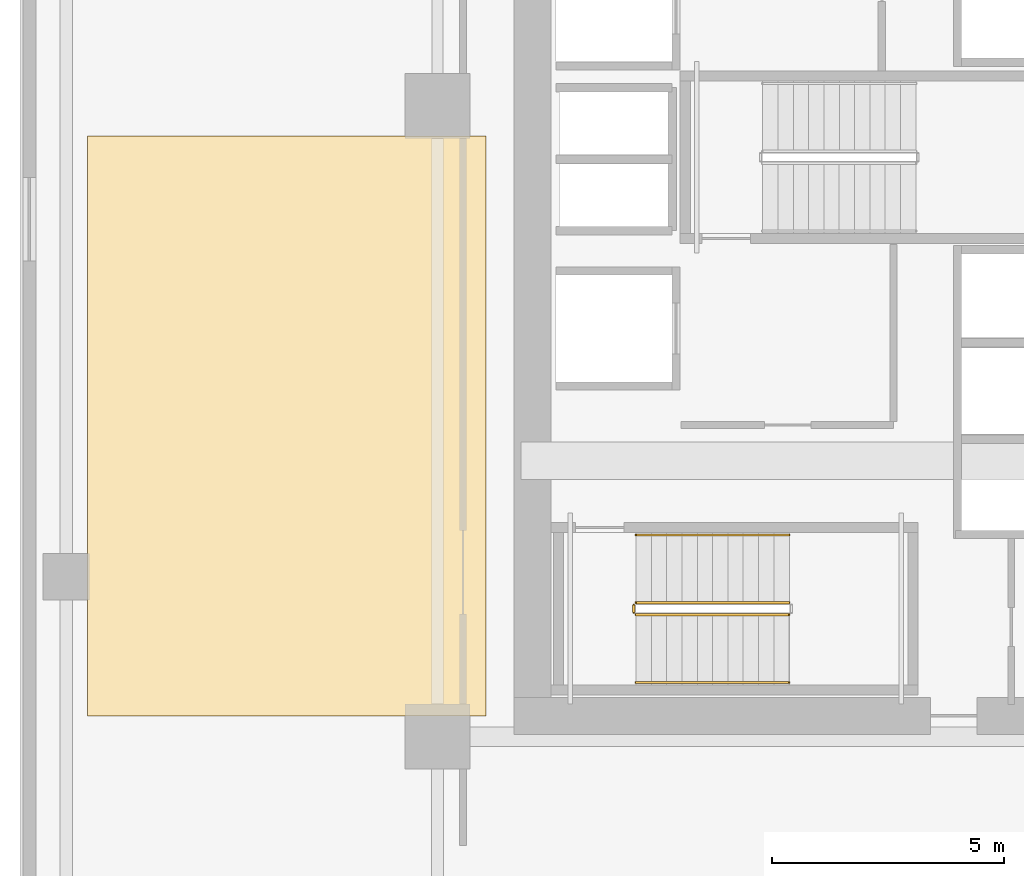
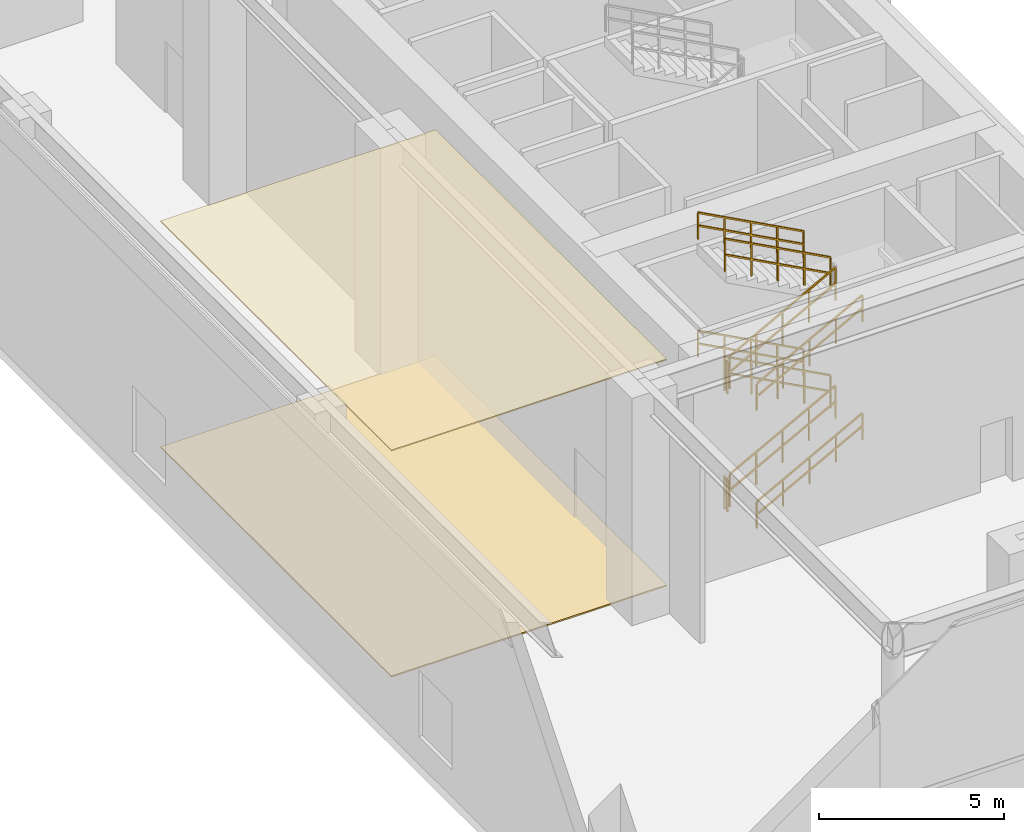
# One storey, part 24 of 29: 10 railings, 2 coverings.
"""IFC4 building model written with IfcOpenShell, lengths in metres."""

from ifc_helpers import new_model, si_unit, direction, frame, origin, origin_2d, place, context, subcontext, project, spatial, polyline, rectangle, outline, extrude, material, layer, layer_set, type_object, element, save


model = new_model("IFC4")

# Units and contexts
model_context = context("Model", 3, precision=1e-05, world=origin(), true_north=direction((0.0, 1.0)))
body_context = subcontext(model_context, "Body", "Model", "MODEL_VIEW")
ifc_project = project(units=[si_unit("LENGTHUNIT", "METRE"), si_unit("AREAUNIT", "SQUARE_METRE"), si_unit("VOLUMEUNIT", "CUBIC_METRE"), si_unit("PLANEANGLEUNIT", "RADIAN"), si_unit("MASSUNIT", "GRAM", prefix="KILO")], contexts=[model_context])

# Site, building, storey
site_placement = place(None, origin())
site = spatial("IfcSite", under=ifc_project, at=site_placement, CompositionType="ELEMENT")
building_placement = place(site_placement, origin())
building = spatial("IfcBuilding", under=site, at=building_placement, Name="Ocotamira Hotel", CompositionType="ELEMENT")
storey_placement = place(building_placement, frame((0.0, 0.0, 11.39990234375)))
storey = spatial("IfcBuildingStorey", under=building, at=storey_placement, Name="L03", CompositionType="ELEMENT", Elevation=11.39990234375)

# Coverings
ifc_material_1 = material(Name="Baffled acoustic wood-slat and gypsum ceiling", Category="wood")
ifc_layer_1 = layer(ifc_material_1, 0.0400390625)
ifc_layer_set_1 = layer_set([ifc_layer_1], Name="Baffled acoustic wood-slat and gypsum ceiling")
covering_type_1 = type_object("IfcCoveringType", Name="COV-CEIL-40", PredefinedType="CEILING", material=ifc_layer_set_1)
covering_1_placement = place(storey_placement, frame((0.0, 0.0, 7.47021484375)))
element("IfcCovering", 1, at=covering_1_placement, inside=storey, type_object=covering_type_1, Name="L03 Acoustic Ceiling", PredefinedType="CEILING", context=body_context, shape_type="SweptSolid", body=[
    extrude(outline(polyline([(1.39990234375, 15.0), (10.0, 15.0), (10.0, 27.5), (1.39990234375, 27.5), (1.39990234375, 15.0)])), origin(), (0.0, 0.0, 1.0), 0.039794921875),
])
ifc_material_2 = material(Name="Thick-bed honed Mojave limestone flooring", Category="masonry")
ifc_layer_2 = layer(ifc_material_2, 0.044921875)
ifc_layer_set_2 = layer_set([ifc_layer_2], Name="Thick-bed honed Mojave limestone flooring")
covering_type_2 = type_object("IfcCoveringType", Name="COV-FLOR-45", PredefinedType="FLOORING", material=ifc_layer_set_2)
covering_2_placement = place(storey_placement, origin())
element("IfcCovering", 2, at=covering_2_placement, inside=storey, type_object=covering_type_2, Name="L03 Honed Stone Floor Finish", PredefinedType="FLOORING", context=body_context, shape_type="SweptSolid", body=[
    extrude(outline(polyline([(1.39990234375, 15.0), (10.0, 15.0), (10.0, 27.5), (1.39990234375, 27.5), (1.39990234375, 15.0)])), origin(), (0.0, 0.0, 1.0), 0.045166015625),
])

# Railings
ifc_material_3 = material(Name="Brushed stainless steel handrail", Category="steel")
railing_type_1 = type_object("IfcRailingType", Name="RL-HAND-900", PredefinedType="HANDRAIL", material=ifc_material_3)
railing_1_placement = place(storey_placement, frame((13.22998046875, 15.719970703125, 0.354736328125)))
element("IfcRailing", 3, at=railing_1_placement, inside=storey, type_object=railing_type_1, Name="L03 ST-1 stair handrail 1", PredefinedType="HANDRAIL", context=body_context, shape_type="SweptSolid", body=[
    extrude(rectangle(XDim=0.048095703125, YDim=0.048095703125, at=origin_2d()), frame((0.0, 0.0, 0.8759765625), z_axis=(0.880943614595, 0.0, 0.473221246251), x_axis=(0.0, 1.0, 0.0)), (0.0, 0.0, 1.0), 3.74609375),
    extrude(rectangle(XDim=0.048095703125, YDim=0.048095703125, at=origin_2d()), frame((0.0, 0.0, 0.449951171875), z_axis=(0.880943614595, 0.0, 0.473221246251), x_axis=(0.0, 1.0, 0.0)), (0.0, 0.0, 1.0), 3.74609375),
    extrude(rectangle(XDim=0.0419921875, YDim=0.0419921875, at=origin_2d()), origin(), (0.0, 0.0, 1.0), 0.851806640625),
    extrude(rectangle(XDim=0.0419921875, YDim=0.0419921875, at=origin_2d()), frame((0.824951171875, 0.0, 0.443115234375)), (0.0, 0.0, 1.0), 0.851806640625),
    extrude(rectangle(XDim=0.0419921875, YDim=0.0419921875, at=origin_2d()), frame((1.64990234375, 0.0, 0.88623046875)), (0.0, 0.0, 1.0), 0.851806640625),
    extrude(rectangle(XDim=0.0419921875, YDim=0.0419921875, at=origin_2d()), frame((2.47509765625, 0.0, 1.32958984375)), (0.0, 0.0, 1.0), 0.851806640625),
    extrude(rectangle(XDim=0.0419921875, YDim=0.0419921875, at=origin_2d()), frame((3.300048828125, 0.0, 1.772705078125)), (0.0, 0.0, 1.0), 0.851806640625),
])
railing_2_placement = place(storey_placement, frame((16.530029296875, 18.89990234375, 2.3046875)))
element("IfcRailing", 4, at=railing_2_placement, inside=storey, type_object=railing_type_1, Name="L03 ST-1 stair handrail 2", PredefinedType="HANDRAIL", context=body_context, shape_type="SweptSolid", body=[
    extrude(rectangle(XDim=0.048095703125, YDim=0.048095703125, at=origin_2d()), frame((0.0, 0.0, 0.8759765625), z_axis=(-0.880943614595, 0.0, 0.473221246251), x_axis=(0.0, -1.0, 0.0)), (0.0, 0.0, 1.0), 3.74609375),
    extrude(rectangle(XDim=0.048095703125, YDim=0.048095703125, at=origin_2d()), frame((0.0, 0.0, 0.449951171875), z_axis=(-0.880943614595, 0.0, 0.473221246251), x_axis=(0.0, -1.0, 0.0)), (0.0, 0.0, 1.0), 3.74609375),
    extrude(rectangle(XDim=0.0419921875, YDim=0.0419921875, at=origin_2d()), origin(), (0.0, 0.0, 1.0), 0.851806640625),
    extrude(rectangle(XDim=0.0419921875, YDim=0.0419921875, at=origin_2d()), frame((-0.824951171875, 0.0, 0.443115234375)), (0.0, 0.0, 1.0), 0.851806640625),
    extrude(rectangle(XDim=0.0419921875, YDim=0.0419921875, at=origin_2d()), frame((-1.64990234375, 0.0, 0.88623046875)), (0.0, 0.0, 1.0), 0.851806640625),
    extrude(rectangle(XDim=0.0419921875, YDim=0.0419921875, at=origin_2d()), frame((-2.47509765625, 0.0, 1.32958984375)), (0.0, 0.0, 1.0), 0.851806640625),
    extrude(rectangle(XDim=0.0419921875, YDim=0.0419921875, at=origin_2d()), frame((-3.300048828125, 0.0, 1.772705078125)), (0.0, 0.0, 1.0), 0.851806640625),
])
railing_3_placement = place(storey_placement, frame((13.22998046875, 15.719970703125, 4.254638671875)))
element("IfcRailing", 5, at=railing_3_placement, inside=storey, type_object=railing_type_1, Name="L03 ST-1 stair handrail 3", PredefinedType="HANDRAIL", context=body_context, shape_type="SweptSolid", body=[
    extrude(rectangle(XDim=0.048095703125, YDim=0.048095703125, at=origin_2d()), frame((0.0, 0.0, 0.8759765625), z_axis=(0.880943614595, 0.0, 0.473221246251), x_axis=(0.0, 1.0, 0.0)), (0.0, 0.0, 1.0), 3.74609375),
    extrude(rectangle(XDim=0.048095703125, YDim=0.048095703125, at=origin_2d()), frame((0.0, 0.0, 0.449951171875), z_axis=(0.880943614595, 0.0, 0.473221246251), x_axis=(0.0, 1.0, 0.0)), (0.0, 0.0, 1.0), 3.74609375),
    extrude(rectangle(XDim=0.0419921875, YDim=0.0419921875, at=origin_2d()), origin(), (0.0, 0.0, 1.0), 0.851806640625),
    extrude(rectangle(XDim=0.0419921875, YDim=0.0419921875, at=origin_2d()), frame((0.824951171875, 0.0, 0.443115234375)), (0.0, 0.0, 1.0), 0.851806640625),
    extrude(rectangle(XDim=0.0419921875, YDim=0.0419921875, at=origin_2d()), frame((1.64990234375, 0.0, 0.88623046875)), (0.0, 0.0, 1.0), 0.851806640625),
    extrude(rectangle(XDim=0.0419921875, YDim=0.0419921875, at=origin_2d()), frame((2.47509765625, 0.0, 1.32958984375)), (0.0, 0.0, 1.0), 0.851806640625),
    extrude(rectangle(XDim=0.0419921875, YDim=0.0419921875, at=origin_2d()), frame((3.300048828125, 0.0, 1.772705078125)), (0.0, 0.0, 1.0), 0.851806640625),
])
railing_4_placement = place(storey_placement, frame((16.530029296875, 18.89990234375, 6.20458984375)))
element("IfcRailing", 6, at=railing_4_placement, inside=storey, type_object=railing_type_1, Name="L03 ST-1 stair handrail 4", PredefinedType="HANDRAIL", context=body_context, shape_type="SweptSolid", body=[
    extrude(rectangle(XDim=0.048095703125, YDim=0.048095703125, at=origin_2d()), frame((0.0, 0.0, 0.8759765625), z_axis=(-0.880943614595, 0.0, 0.473221246251), x_axis=(0.0, -1.0, 0.0)), (0.0, 0.0, 1.0), 3.74609375),
    extrude(rectangle(XDim=0.048095703125, YDim=0.048095703125, at=origin_2d()), frame((0.0, 0.0, 0.449951171875), z_axis=(-0.880943614595, 0.0, 0.473221246251), x_axis=(0.0, -1.0, 0.0)), (0.0, 0.0, 1.0), 3.74609375),
    extrude(rectangle(XDim=0.0419921875, YDim=0.0419921875, at=origin_2d()), origin(), (0.0, 0.0, 1.0), 0.851806640625),
    extrude(rectangle(XDim=0.0419921875, YDim=0.0419921875, at=origin_2d()), frame((-0.824951171875, 0.0, 0.443115234375)), (0.0, 0.0, 1.0), 0.851806640625),
    extrude(rectangle(XDim=0.0419921875, YDim=0.0419921875, at=origin_2d()), frame((-1.64990234375, 0.0, 0.88623046875)), (0.0, 0.0, 1.0), 0.851806640625),
    extrude(rectangle(XDim=0.0419921875, YDim=0.0419921875, at=origin_2d()), frame((-2.47509765625, 0.0, 1.32958984375)), (0.0, 0.0, 1.0), 0.851806640625),
    extrude(rectangle(XDim=0.0419921875, YDim=0.0419921875, at=origin_2d()), frame((-3.300048828125, 0.0, 1.772705078125)), (0.0, 0.0, 1.0), 0.851806640625),
])
ifc_material_4 = material(Name="Painted steel stair guardrail", Category="steel")
railing_type_2 = type_object("IfcRailingType", Name="RL-STAIR-1100", PredefinedType="GUARDRAIL", material=ifc_material_4)
railing_5_placement = place(storey_placement, frame((13.22998046875, 17.179931640625, 0.177490234375)))
element("IfcRailing", 7, at=railing_5_placement, inside=storey, type_object=railing_type_2, Name="L03 ST-1 stair guard 1", PredefinedType="GUARDRAIL", context=body_context, shape_type="SweptSolid", body=[
    extrude(rectangle(XDim=0.048095703125, YDim=0.048095703125, at=origin_2d()), frame((0.0, 0.0, 1.076171875), z_axis=(0.880943614595, 0.0, 0.473221246251), x_axis=(0.0, 1.0, 0.0)), (0.0, 0.0, 1.0), 3.74609375),
    extrude(rectangle(XDim=0.048095703125, YDim=0.048095703125, at=origin_2d()), frame((0.0, 0.0, 0.550048828125), z_axis=(0.880943614595, 0.0, 0.473221246251), x_axis=(0.0, 1.0, 0.0)), (0.0, 0.0, 1.0), 3.74609375),
    extrude(rectangle(XDim=0.0419921875, YDim=0.0419921875, at=origin_2d()), origin(), (0.0, 0.0, 1.0), 1.052001953125),
    extrude(rectangle(XDim=0.0419921875, YDim=0.0419921875, at=origin_2d()), frame((0.824951171875, 0.0, 0.443115234375)), (0.0, 0.0, 1.0), 1.052001953125),
    extrude(rectangle(XDim=0.0419921875, YDim=0.0419921875, at=origin_2d()), frame((1.64990234375, 0.0, 0.88623046875)), (0.0, 0.0, 1.0), 1.052001953125),
    extrude(rectangle(XDim=0.0419921875, YDim=0.0419921875, at=origin_2d()), frame((2.47509765625, 0.0, 1.32958984375)), (0.0, 0.0, 1.0), 1.052001953125),
    extrude(rectangle(XDim=0.0419921875, YDim=0.0419921875, at=origin_2d()), frame((3.300048828125, 0.0, 1.772705078125)), (0.0, 0.0, 1.0), 1.052001953125),
])
railing_6_placement = place(storey_placement, frame((16.530029296875, 17.43994140625, 2.12744140625)))
element("IfcRailing", 8, at=railing_6_placement, inside=storey, type_object=railing_type_2, Name="L03 ST-1 stair guard 3", PredefinedType="GUARDRAIL", context=body_context, shape_type="SweptSolid", body=[
    extrude(rectangle(XDim=0.048095703125, YDim=0.048095703125, at=origin_2d()), frame((0.0, 0.0, 1.076171875), z_axis=(-0.880943614595, 0.0, 0.473221246251), x_axis=(0.0, -1.0, 0.0)), (0.0, 0.0, 1.0), 3.74609375),
    extrude(rectangle(XDim=0.048095703125, YDim=0.048095703125, at=origin_2d()), frame((0.0, 0.0, 0.550048828125), z_axis=(-0.880943614595, 0.0, 0.473221246251), x_axis=(0.0, -1.0, 0.0)), (0.0, 0.0, 1.0), 3.74609375),
    extrude(rectangle(XDim=0.0419921875, YDim=0.0419921875, at=origin_2d()), origin(), (0.0, 0.0, 1.0), 1.052001953125),
    extrude(rectangle(XDim=0.0419921875, YDim=0.0419921875, at=origin_2d()), frame((-0.824951171875, 0.0, 0.443115234375)), (0.0, 0.0, 1.0), 1.052001953125),
    extrude(rectangle(XDim=0.0419921875, YDim=0.0419921875, at=origin_2d()), frame((-1.64990234375, 0.0, 0.88623046875)), (0.0, 0.0, 1.0), 1.052001953125),
    extrude(rectangle(XDim=0.0419921875, YDim=0.0419921875, at=origin_2d()), frame((-2.47509765625, 0.0, 1.32958984375)), (0.0, 0.0, 1.0), 1.052001953125),
    extrude(rectangle(XDim=0.0419921875, YDim=0.0419921875, at=origin_2d()), frame((-3.300048828125, 0.0, 1.772705078125)), (0.0, 0.0, 1.0), 1.052001953125),
])
railing_7_placement = place(storey_placement, frame((13.179931640625, 17.22998046875, 3.900146484375)))
element("IfcRailing", 9, at=railing_7_placement, inside=storey, type_object=railing_type_2, Name="L03 ST-1 stair guard 4", PredefinedType="GUARDRAIL", context=body_context, shape_type="SweptSolid", body=[
    extrude(rectangle(XDim=0.048095703125, YDim=0.048095703125, at=origin_2d()), frame((0.0, 0.0, 1.076171875), z_axis=(0.0, 1.0, 0.0), x_axis=(-1.0, 0.0, 0.0)), (0.0, 0.0, 1.0), 0.159912109375),
    extrude(rectangle(XDim=0.048095703125, YDim=0.048095703125, at=origin_2d()), frame((0.0, 0.0, 0.550048828125), z_axis=(0.0, 1.0, 0.0), x_axis=(-1.0, 0.0, 0.0)), (0.0, 0.0, 1.0), 0.159912109375),
    extrude(rectangle(XDim=0.0419921875, YDim=0.0419921875, at=origin_2d()), origin(), (0.0, 0.0, 1.0), 1.052001953125),
    extrude(rectangle(XDim=0.0419921875, YDim=0.0419921875, at=origin_2d()), frame((0.0, 0.159912109375, 0.0)), (0.0, 0.0, 1.0), 1.052001953125),
])
railing_8_placement = place(storey_placement, frame((13.22998046875, 17.179931640625, 4.077392578125)))
element("IfcRailing", 10, at=railing_8_placement, inside=storey, type_object=railing_type_2, Name="L03 ST-1 stair guard 5", PredefinedType="GUARDRAIL", context=body_context, shape_type="SweptSolid", body=[
    extrude(rectangle(XDim=0.048095703125, YDim=0.048095703125, at=origin_2d()), frame((0.0, 0.0, 1.076171875), z_axis=(0.880943614595, 0.0, 0.473221246251), x_axis=(0.0, 1.0, 0.0)), (0.0, 0.0, 1.0), 3.74609375),
    extrude(rectangle(XDim=0.048095703125, YDim=0.048095703125, at=origin_2d()), frame((0.0, 0.0, 0.550048828125), z_axis=(0.880943614595, 0.0, 0.473221246251), x_axis=(0.0, 1.0, 0.0)), (0.0, 0.0, 1.0), 3.74609375),
    extrude(rectangle(XDim=0.0419921875, YDim=0.0419921875, at=origin_2d()), origin(), (0.0, 0.0, 1.0), 1.052001953125),
    extrude(rectangle(XDim=0.0419921875, YDim=0.0419921875, at=origin_2d()), frame((0.824951171875, 0.0, 0.443115234375)), (0.0, 0.0, 1.0), 1.052001953125),
    extrude(rectangle(XDim=0.0419921875, YDim=0.0419921875, at=origin_2d()), frame((1.64990234375, 0.0, 0.88623046875)), (0.0, 0.0, 1.0), 1.052001953125),
    extrude(rectangle(XDim=0.0419921875, YDim=0.0419921875, at=origin_2d()), frame((2.47509765625, 0.0, 1.32958984375)), (0.0, 0.0, 1.0), 1.052001953125),
    extrude(rectangle(XDim=0.0419921875, YDim=0.0419921875, at=origin_2d()), frame((3.300048828125, 0.0, 1.772705078125)), (0.0, 0.0, 1.0), 1.052001953125),
])
railing_9_placement = place(storey_placement, frame((16.530029296875, 17.43994140625, 6.02734375)))
element("IfcRailing", 11, at=railing_9_placement, inside=storey, type_object=railing_type_2, Name="L03 ST-1 stair guard 7", PredefinedType="GUARDRAIL", context=body_context, shape_type="SweptSolid", body=[
    extrude(rectangle(XDim=0.048095703125, YDim=0.048095703125, at=origin_2d()), frame((0.0, 0.0, 1.076171875), z_axis=(-0.880943614595, 0.0, 0.473221246251), x_axis=(0.0, -1.0, 0.0)), (0.0, 0.0, 1.0), 3.74609375),
    extrude(rectangle(XDim=0.048095703125, YDim=0.048095703125, at=origin_2d()), frame((0.0, 0.0, 0.550048828125), z_axis=(-0.880943614595, 0.0, 0.473221246251), x_axis=(0.0, -1.0, 0.0)), (0.0, 0.0, 1.0), 3.74609375),
    extrude(rectangle(XDim=0.0419921875, YDim=0.0419921875, at=origin_2d()), origin(), (0.0, 0.0, 1.0), 1.052001953125),
    extrude(rectangle(XDim=0.0419921875, YDim=0.0419921875, at=origin_2d()), frame((-0.824951171875, 0.0, 0.443115234375)), (0.0, 0.0, 1.0), 1.052001953125),
    extrude(rectangle(XDim=0.0419921875, YDim=0.0419921875, at=origin_2d()), frame((-1.64990234375, 0.0, 0.88623046875)), (0.0, 0.0, 1.0), 1.052001953125),
    extrude(rectangle(XDim=0.0419921875, YDim=0.0419921875, at=origin_2d()), frame((-2.47509765625, 0.0, 1.32958984375)), (0.0, 0.0, 1.0), 1.052001953125),
    extrude(rectangle(XDim=0.0419921875, YDim=0.0419921875, at=origin_2d()), frame((-3.300048828125, 0.0, 1.772705078125)), (0.0, 0.0, 1.0), 1.052001953125),
])
railing_10_placement = place(storey_placement, frame((13.179931640625, 17.22998046875, 0.0)))
element("IfcRailing", 12, at=railing_10_placement, inside=storey, type_object=railing_type_2, Name="L03 ST-1 stair guard 8", PredefinedType="GUARDRAIL", context=body_context, shape_type="SweptSolid", body=[
    extrude(rectangle(XDim=0.048095703125, YDim=0.048095703125, at=origin_2d()), frame((0.0, 0.0, 1.076171875), z_axis=(0.0, 1.0, 0.0), x_axis=(-1.0, 0.0, 0.0)), (0.0, 0.0, 1.0), 0.159912109375),
    extrude(rectangle(XDim=0.048095703125, YDim=0.048095703125, at=origin_2d()), frame((0.0, 0.0, 0.550048828125), z_axis=(0.0, 1.0, 0.0), x_axis=(-1.0, 0.0, 0.0)), (0.0, 0.0, 1.0), 0.159912109375),
    extrude(rectangle(XDim=0.0419921875, YDim=0.0419921875, at=origin_2d()), origin(), (0.0, 0.0, 1.0), 1.052001953125),
    extrude(rectangle(XDim=0.0419921875, YDim=0.0419921875, at=origin_2d()), frame((0.0, 0.159912109375, 0.0)), (0.0, 0.0, 1.0), 1.052001953125),
])

save(model, "model.ifc")
